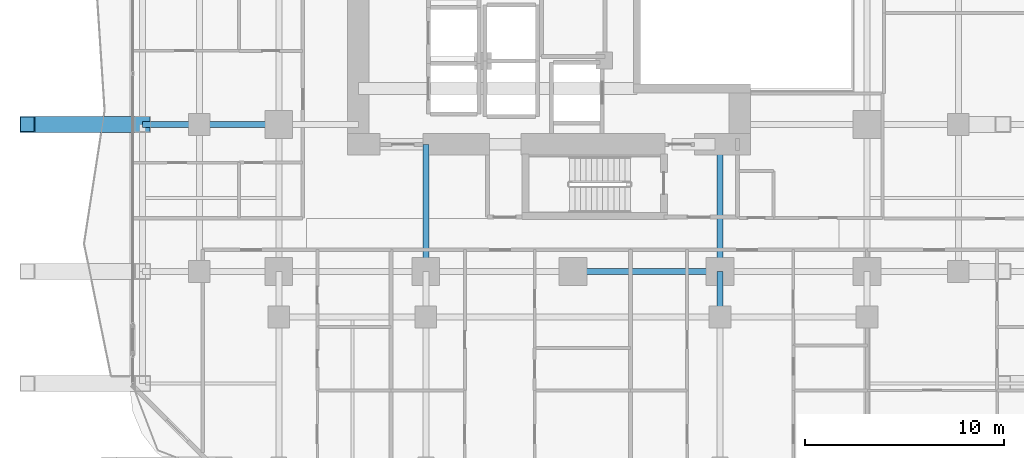
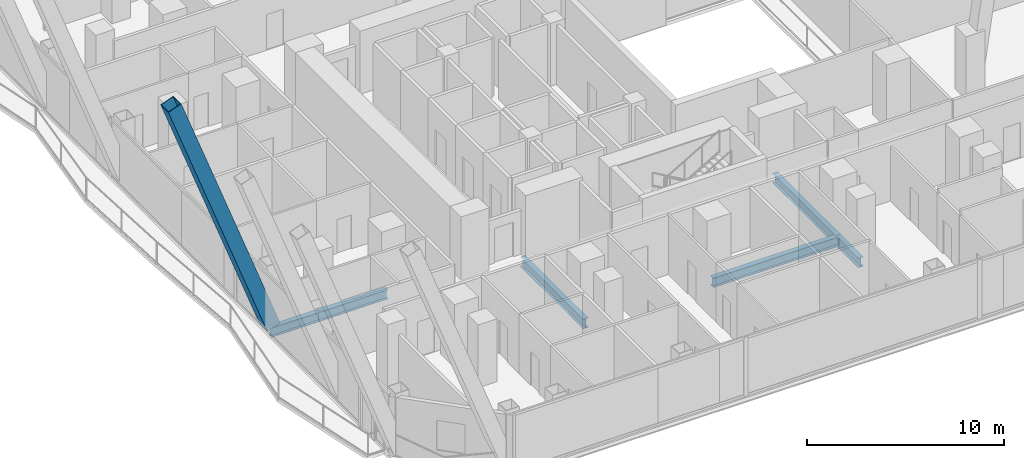
# One storey, part 6 of 33: 6 beams, 1 member.
"""IFC4 building model written with IfcOpenShell, lengths in metres."""

from ifc_helpers import new_model, si_unit, direction, frame, origin, origin_2d, place, context, subcontext, project, spatial, hollow_rectangle, i_section, extrude, material, material_profile, profile_set, type_object, element, save


model = new_model("IFC4")

# Units and contexts
model_context = context("Model", 3, precision=1e-05, world=origin(), true_north=direction((0.0, 1.0)))
body_context = subcontext(model_context, "Body", "Model", "MODEL_VIEW")
ifc_project = project(units=[si_unit("LENGTHUNIT", "METRE"), si_unit("AREAUNIT", "SQUARE_METRE"), si_unit("VOLUMEUNIT", "CUBIC_METRE"), si_unit("PLANEANGLEUNIT", "RADIAN"), si_unit("MASSUNIT", "GRAM", prefix="KILO")], contexts=[model_context])

# Site, building, storey
site_placement = place(None, origin())
site = spatial("IfcSite", under=ifc_project, at=site_placement, CompositionType="ELEMENT")
building_placement = place(site_placement, origin())
building = spatial("IfcBuilding", under=site, at=building_placement, Name="Khorvyn Point Tower", CompositionType="ELEMENT")
storey_placement = place(building_placement, frame((0.0, 0.0, 38.39990234375)))
storey = spatial("IfcBuildingStorey", under=building, at=storey_placement, Name="L10", CompositionType="ELEMENT", Elevation=38.39990234375)

# Beams
ifc_material_1 = material(Name="Steel S355", Category="steel")
ifc_material_profile_1 = material_profile(ifc_material_1, i_section(OverallWidth=0.300048828125, OverallDepth=0.587890625, WebThickness=0.011962890625, FlangeThickness=0.02001953125, at=origin_2d()))
ifc_profile_set_1 = profile_set([ifc_material_profile_1], Name="Steel S355 H588x300x12x20")
beam_type = type_object("IfcBeamType", Name="Steel S355 Beam H588x300x12x20", PredefinedType="BEAM", material=ifc_profile_set_1)
beam_1_placement = place(storey_placement, frame((0.0, -14.800048828125, -0.513916015625), z_axis=(1.0, 0.0, 0.0), x_axis=(0.0, 1.0, 0.0)))
element("IfcBeam", 1, at=beam_1_placement, inside=storey, type_object=beam_type, Name="Beam", PredefinedType="BEAM", context=body_context, shape_type="SweptSolid", body=[
    extrude(i_section(OverallWidth=0.300048828125, OverallDepth=0.587890625, WebThickness=0.011962890625, FlangeThickness=0.02001953125, at=origin_2d()), origin(), (0.0, 0.0, 1.0), 7.39990234375),
])
beam_2_placement = place(storey_placement, frame((-21.64990234375, -7.39990234375, -0.513916015625), z_axis=(1.0, 0.0, 0.0), x_axis=(0.0, 1.0, 0.0)))
element("IfcBeam", 2, at=beam_2_placement, inside=storey, type_object=beam_type, Name="Beam", PredefinedType="BEAM", context=body_context, shape_type="SweptSolid", body=[
    extrude(i_section(OverallWidth=0.300048828125, OverallDepth=0.587890625, WebThickness=0.011962890625, FlangeThickness=0.02001953125, at=origin_2d()), origin(), (0.0, 0.0, 1.0), 2.849853515625),
])
beam_3_placement = place(storey_placement, frame((-18.800048828125, -7.39990234375, -0.513916015625), z_axis=(1.0, 0.0, 0.0), x_axis=(0.0, 1.0, 0.0)))
element("IfcBeam", 3, at=beam_3_placement, inside=storey, type_object=beam_type, Name="Beam", PredefinedType="BEAM", context=body_context, shape_type="SweptSolid", body=[
    extrude(i_section(OverallWidth=0.300048828125, OverallDepth=0.587890625, WebThickness=0.011962890625, FlangeThickness=0.02001953125, at=origin_2d()), origin(), (0.0, 0.0, 1.0), 4.0),
])
beam_4_placement = place(storey_placement, frame((-7.39990234375, -14.800048828125, -0.513916015625), z_axis=(0.0, 1.0, 0.0), x_axis=(-1.0, 0.0, 0.0)))
element("IfcBeam", 4, at=beam_4_placement, inside=storey, type_object=beam_type, Name="Beam", PredefinedType="BEAM", context=body_context, shape_type="SweptSolid", body=[
    extrude(i_section(OverallWidth=0.300048828125, OverallDepth=0.587890625, WebThickness=0.011962890625, FlangeThickness=0.02001953125, at=origin_2d()), origin(), (0.0, 0.0, 1.0), 6.400146484375),
])
beam_5_placement = place(storey_placement, frame((7.39990234375, -17.10009765625, -0.513916015625), z_axis=(0.0, 1.0, 0.0), x_axis=(-1.0, 0.0, 0.0)))
element("IfcBeam", 5, at=beam_5_placement, inside=storey, type_object=beam_type, Name="Beam", PredefinedType="BEAM", context=body_context, shape_type="SweptSolid", body=[
    extrude(i_section(OverallWidth=0.300048828125, OverallDepth=0.587890625, WebThickness=0.011962890625, FlangeThickness=0.02001953125, at=origin_2d()), origin(), (0.0, 0.0, 1.0), 2.300048828125),
])
beam_6_placement = place(storey_placement, frame((7.39990234375, -14.800048828125, -0.513916015625), z_axis=(0.0, 1.0, 0.0), x_axis=(-1.0, 0.0, 0.0)))
element("IfcBeam", 6, at=beam_6_placement, inside=storey, type_object=beam_type, Name="Beam", PredefinedType="BEAM", context=body_context, shape_type="SweptSolid", body=[
    extrude(i_section(OverallWidth=0.300048828125, OverallDepth=0.587890625, WebThickness=0.011962890625, FlangeThickness=0.02001953125, at=origin_2d()), origin(), (0.0, 0.0, 1.0), 6.400146484375),
])

# Member
ifc_material_2 = material(Name="Steel S450", Category="steel")
ifc_material_profile_2 = material_profile(ifc_material_2, hollow_rectangle(XDim=0.800048828125, YDim=0.800048828125, WallThickness=0.035888671875, at=origin_2d()))
ifc_profile_set_2 = profile_set([ifc_material_profile_2], Name="Steel S450 BOX800x800x36")
member_type = type_object("IfcMemberType", Name="Steel S450 Exoskeleton Structural Post BOX800x800x36", PredefinedType="POST", material=ifc_profile_set_2)
member_placement = place(storey_placement, frame((-21.64990234375, -7.39990234375, 0.0), z_axis=(-0.348488886408, 0.0, 0.937312912559), x_axis=(0.0, -1.0, 0.0)))
element("IfcMember", 7, at=member_placement, inside=storey, type_object=member_type, Name="L10 to L14 Exoskeleton Transfer Post 11", PredefinedType="POST", context=body_context, shape_type="SweptSolid", body=[
    extrude(hollow_rectangle(XDim=0.800048828125, YDim=0.800048828125, WallThickness=0.035888671875, at=origin_2d()), origin(), (0.0, 0.0, 1.0), 16.643310546875),
])

save(model, "model.ifc")
